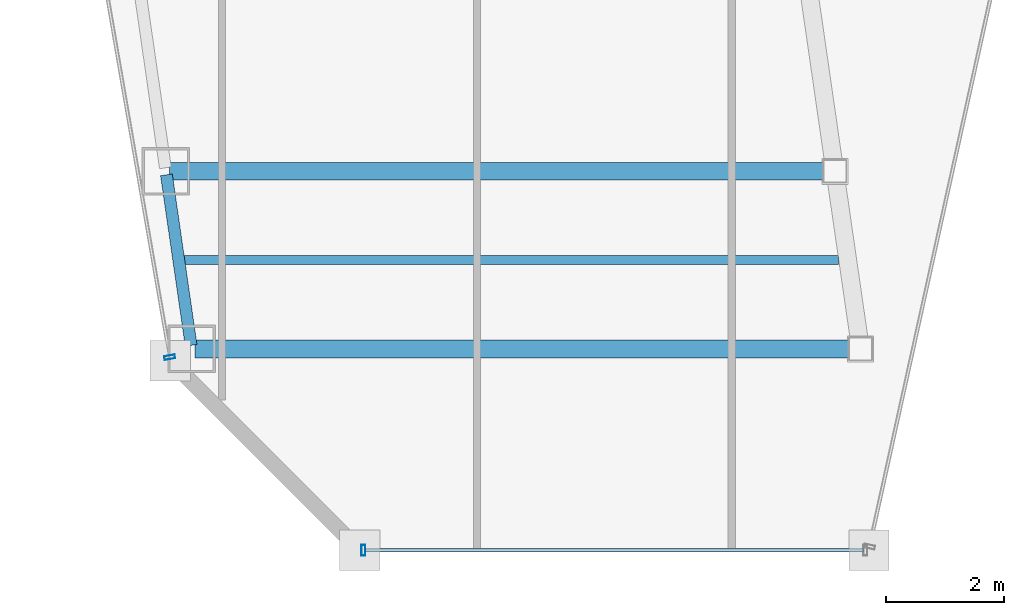
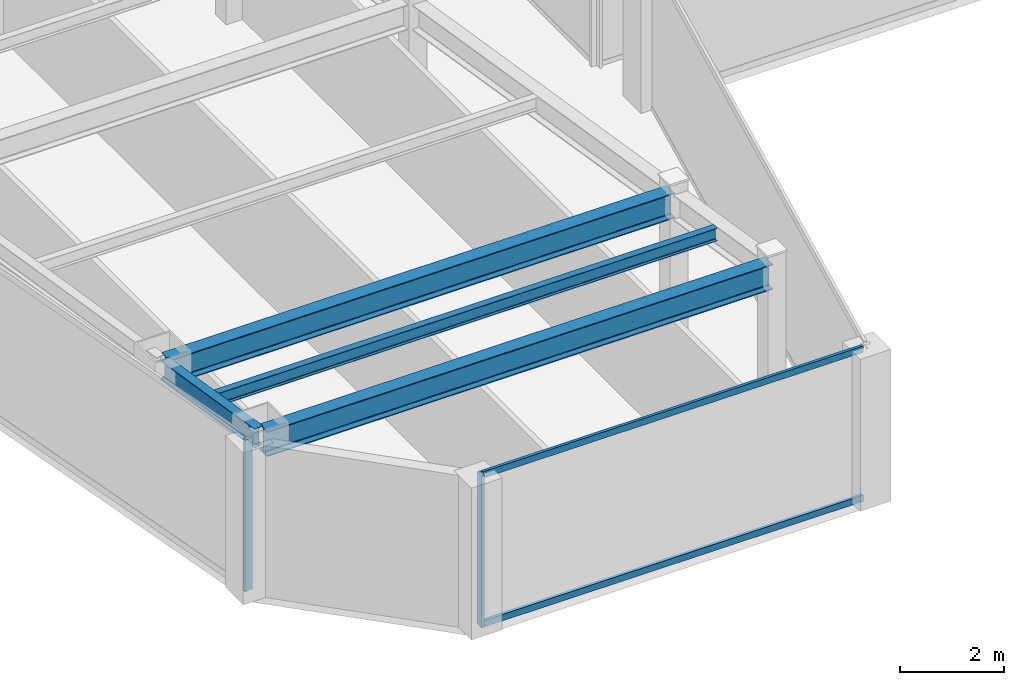
# One storey, part 3 of 33: 4 beams, 4 members, 2 elements without a shape of their own.
"""IFC4 building model written with IfcOpenShell, lengths in metres."""

import ifcopenshell
import ifcopenshell.guid

model = None  # the IFC model being written
_history = None  # IfcOwnerHistory: only IFC2X3 demands one
_inside = {}  # id of a spatial element -> (the spatial element, [elements in it])
_under = {}  # id of a project, library or spatial element -> (it, [spatial elements below it])
_declared = {}  # id of a project -> (the project, [libraries it declares])
_typed = {}  # id of a type object -> (the type object, [elements of that type])
_made_of = {}  # id of a material, layer set ... -> (it, [elements and type objects made of it])


def new_model(schema):
    """Start an empty IFC model of exactly this schema.

    Asked for "IFC4X3", IfcOpenShell would pick the latest addendum, in which some entities
    have other attributes; the version numbers below select the first issue.
    IFC2X3 requires an IfcOwnerHistory on every rooted entity: one is made here for all.
    """
    global model, _history
    if schema == "IFC4X3":
        model = ifcopenshell.file(schema_version=(4, 3, 0, 0))
    else:
        model = ifcopenshell.file(schema=schema)
    _inside.clear()
    _under.clear()
    _declared.clear()
    _typed.clear()
    _made_of.clear()
    _history = None
    if model.schema == "IFC2X3":
        org = make("IfcOrganization", Name="unknown")
        user = make(
            "IfcPersonAndOrganization",
            ThePerson=make("IfcPerson", FamilyName="unknown"),
            TheOrganization=org,
        )
        app = make(
            "IfcApplication",
            ApplicationDeveloper=org,
            Version="unknown",
            ApplicationFullName="unknown",
            ApplicationIdentifier="unknown",
        )
        _history = make(
            "IfcOwnerHistory",
            OwningUser=user,
            OwningApplication=app,
            ChangeAction="ADDED",
            CreationDate=0,
        )
    return model


def make(cls, **values):
    """One entity of the class cls with the attributes given. An attribute that is None is left unset."""
    return model.create_entity(
        cls, **{name: value for name, value in values.items() if value is not None}
    )


def rooted(cls, **values):
    """An entity with a GlobalId (a new one), such as an element, a storey or a relation."""
    return make(cls, GlobalId=ifcopenshell.guid.new(), OwnerHistory=_history, **values)


def si_unit(unit_type, name, prefix=None):
    """IfcSIUnit, for example si_unit("LENGTHUNIT", "METRE", prefix="MILLI")."""
    return make("IfcSIUnit", UnitType=unit_type, Prefix=prefix, Name=name)


def assignment(units):
    """IfcUnitAssignment: the units of a project."""
    return None if units is None else make("IfcUnitAssignment", Units=units)


def point(xyz):
    """IfcCartesianPoint."""
    return None if xyz is None else make("IfcCartesianPoint", Coordinates=xyz)


def direction(xyz):
    """IfcDirection."""
    return None if xyz is None else make("IfcDirection", DirectionRatios=xyz)


def frame(location, z_axis=None, x_axis=None):
    """IfcAxis2Placement3D, a coordinate frame: its origin and axes. An axis left out is left unset."""
    return make(
        "IfcAxis2Placement3D",
        Location=point(location),
        Axis=direction(z_axis),
        RefDirection=direction(x_axis),
    )


def frame_2d(location, x_axis=None):
    """IfcAxis2Placement2D, a coordinate frame in the plane: its origin and x axis."""
    return make(
        "IfcAxis2Placement2D", Location=point(location), RefDirection=direction(x_axis)
    )


def origin():
    """The frame at (0, 0, 0) with its axes left unset."""
    return frame((0.0, 0.0, 0.0))


def origin_2d():
    """The frame at (0, 0) in the plane with its x axis left unset."""
    return frame_2d((0.0, 0.0))


def place(relative_to, where):
    """IfcLocalPlacement: puts the frame where relative to a parent placement (None: the world)."""
    return make(
        "IfcLocalPlacement", PlacementRelTo=relative_to, RelativePlacement=where
    )


def context(
    kind, dimensions, precision=None, world=None, true_north=None, identifier=None
):
    """IfcGeometricRepresentationContext, for example the 3D "Model" context."""
    return make(
        "IfcGeometricRepresentationContext",
        ContextIdentifier=identifier,
        ContextType=kind,
        CoordinateSpaceDimension=dimensions,
        Precision=precision,
        WorldCoordinateSystem=world,
        TrueNorth=true_north,
    )


def subcontext(parent, identifier, kind, view, scale=None):
    """IfcGeometricRepresentationSubContext, for example "Body" below "Model"."""
    return make(
        "IfcGeometricRepresentationSubContext",
        ContextIdentifier=identifier,
        ContextType=kind,
        ParentContext=parent,
        TargetScale=scale,
        TargetView=view,
    )


def project(units=None, contexts=None):
    """IfcProject with its units and contexts."""
    return rooted(
        "IfcProject",
        Name="project",
        RepresentationContexts=contexts,
        UnitsInContext=assignment(units),
    )


def spatial(cls, under=None, at=None, **own):
    """A site, building, storey or space (cls), placed at a placement, below another one or the project."""
    s = rooted(cls, ObjectPlacement=at, **own)
    if under is not None:
        _under.setdefault(under.id(), (under, []))[1].append(s)
    return s


def profile(cls, at=None, kind="AREA", **sizes):
    """A parametric profile (cls). Its sizes go by their IFC names, for example OverallWidth=200.0."""
    return make(cls, ProfileType=kind, Position=at, **sizes)


def hollow_rectangle(**sizes):
    """IfcRectangleHollowProfileDef."""
    return profile("IfcRectangleHollowProfileDef", **sizes)


def i_section(**sizes):
    """IfcIShapeProfileDef."""
    return profile("IfcIShapeProfileDef", **sizes)


def extrude(swept, where, along, depth):
    """IfcExtrudedAreaSolid: the profile swept, set in the frame where, extruded along a direction by depth."""
    return make(
        "IfcExtrudedAreaSolid",
        SweptArea=swept,
        Position=where,
        ExtrudedDirection=direction(along),
        Depth=depth,
    )


def shape(context_of_items, identifier, shape_type, items):
    """IfcShapeRepresentation: the items that make up one representation, for example the "Body"."""
    return make(
        "IfcShapeRepresentation",
        ContextOfItems=context_of_items,
        RepresentationIdentifier=identifier,
        RepresentationType=shape_type,
        Items=items,
    )


def material(Name=None, Category=None):
    """IfcMaterial."""
    return make("IfcMaterial", Name=Name, Category=Category)


def material_profile(
    of_material, cross_section, Name=None, Category=None, Priority=None
):
    """IfcMaterialProfile: a cross section and its material."""
    return make(
        "IfcMaterialProfile",
        Name=Name,
        Material=of_material,
        Profile=cross_section,
        Priority=Priority,
        Category=Category,
    )


def profile_set(profiles, Name=None, composite=None):
    """IfcMaterialProfileSet."""
    return make(
        "IfcMaterialProfileSet",
        Name=Name,
        MaterialProfiles=profiles,
        CompositeProfile=composite,
    )


def made_of(thing, what):
    """Note that an element or type object is made of a material, layer set ...; save() writes the relation."""
    if what is not None:
        _made_of.setdefault(what.id(), (what, []))[1].append(thing)
    return thing


def type_object(cls, material=None, **own):
    """A type object (cls), such as IfcWallType, which elements share."""
    return made_of(rooted(cls, **own), material)


def element(
    cls,
    number,
    at=None,
    inside=None,
    cuts=None,
    type_object=None,
    material=None,
    context=None,
    identifier="Body",
    shape_type=None,
    held_by="IfcProductDefinitionShape",
    body=None,
    shapes=None,
    **own,
):
    """One element of the class cls, such as IfcWall. Its Tag is "e" and its number.

    at: its placement. inside: the storey or other place that contains it. cuts: it is an
    opening in that element (IfcRelVoidsElement). A single representation is given by context,
    identifier, shape_type and body (its items); several are given by shapes. held_by: the class
    of the entity that holds the representations. save() writes the other relations.
    """
    e = rooted(cls, Tag="e%d" % number, ObjectPlacement=at, **own)
    if body is not None:
        shapes = [shape(context, identifier, shape_type, body)]
    if shapes is not None:
        e.Representation = make(held_by, Representations=shapes)
    if inside is not None:
        _inside.setdefault(inside.id(), (inside, []))[1].append(e)
    if cuts is not None:
        rooted(
            "IfcRelVoidsElement", RelatingBuildingElement=cuts, RelatedOpeningElement=e
        )
    if type_object is not None:
        _typed.setdefault(type_object.id(), (type_object, []))[1].append(e)
    return made_of(e, material)


def aggregate(whole, parts):
    """IfcRelAggregates: a whole, such as a stair, and the parts it consists of."""
    return rooted("IfcRelAggregates", RelatingObject=whole, RelatedObjects=parts)


def save(model, path):
    """Write the relations noted so far, then the file.

    IfcRelAggregates (storeys below a building ...), IfcRelContainedInSpatialStructure (elements
    in a storey), IfcRelDefinesByType, IfcRelAssociatesMaterial and IfcRelDeclares: one each for
    every whole, place, type object, material and project.
    """
    for whole, parts in _under.values():
        aggregate(whole, parts)
    for where, things in _inside.values():
        rooted(
            "IfcRelContainedInSpatialStructure",
            RelatedElements=things,
            RelatingStructure=where,
        )
    for kind, things in _typed.values():
        rooted("IfcRelDefinesByType", RelatedObjects=things, RelatingType=kind)
    for what, things in _made_of.values():
        rooted("IfcRelAssociatesMaterial", RelatedObjects=things, RelatingMaterial=what)
    for by, libraries in _declared.values():
        rooted("IfcRelDeclares", RelatingContext=by, RelatedDefinitions=libraries)
    model.write(path)


model = new_model("IFC4")

# Units and contexts
model_context = context("Model", 3, precision=1e-05, world=origin(), true_north=direction((0.0, 1.0)))
body_context = subcontext(model_context, "Body", "Model", "MODEL_VIEW")
ifc_project = project(units=[si_unit("LENGTHUNIT", "METRE"), si_unit("AREAUNIT", "SQUARE_METRE"), si_unit("VOLUMEUNIT", "CUBIC_METRE"), si_unit("PLANEANGLEUNIT", "RADIAN"), si_unit("MASSUNIT", "GRAM", prefix="KILO")], contexts=[model_context])

# Site, building, storey
site_placement = place(None, origin())
site = spatial("IfcSite", under=ifc_project, at=site_placement, CompositionType="ELEMENT")
building_placement = place(site_placement, origin())
building = spatial("IfcBuilding", under=site, at=building_placement, Name="Saevonmaru Cultural Tower", CompositionType="ELEMENT")
storey_placement = place(building_placement, frame((0.0, 0.0, 234.39990234375)))
storey = spatial("IfcBuildingStorey", under=building, at=storey_placement, Name="L54", CompositionType="ELEMENT", Elevation=234.39990234375)

# Beams
ifc_material_1 = material(Name="Steel SM355", Category="steel")
ifc_material_profile_1 = material_profile(ifc_material_1, i_section(OverallWidth=0.300048828125, OverallDepth=0.587890625, WebThickness=0.011962890625, FlangeThickness=0.02001953125, FilletRadius=0.02392578125, at=origin_2d()), Name="H-588x300x12x20")
ifc_profile_set_1 = profile_set([ifc_material_profile_1], Name="Steel SM355")
beam_type_1 = type_object("IfcBeamType", Name="BM-G-H588", PredefinedType="BEAM", material=ifc_profile_set_1)
for number, where, z_axis, x_axis, name in (
    (1, (9.966064453125, 21.0, 3.256103515625), (1.0, 0.0, 0.0), (0.0, 1.0, 0.0), "L54 West Wing Transverse Girder 1"),
    (2, (9.531982421875, 24.0, 3.256103515625), (1.0, 0.0, 0.0), (0.0, 1.0, 0.0), "L54 West Wing Transverse Girder 2"),
):
    element("IfcBeam", number, at=place(storey_placement, frame(where, z_axis=z_axis, x_axis=x_axis)), inside=storey, type_object=beam_type_1, Name=name, PredefinedType="BEAM", context=body_context, shape_type="SweptSolid", body=[
        extrude(i_section(OverallWidth=0.300048828125, OverallDepth=0.587890625, WebThickness=0.011962890625, FlangeThickness=0.02001953125, FilletRadius=0.02392578125, at=origin_2d()), origin(), (0.0, 0.0, 1.0), 11.179931640625),
    ])
ifc_material_profile_2 = material_profile(ifc_material_1, i_section(OverallWidth=0.14990234375, OverallDepth=0.300048828125, WebThickness=0.006591796875, FlangeThickness=0.009033203125, FilletRadius=0.012939453125, at=origin_2d()), Name="H-300x150x6.5x9")
ifc_profile_set_2 = profile_set([ifc_material_profile_2], Name="Steel SM355")
beam_type_2 = type_object("IfcBeamType", Name="BM-J-H300", PredefinedType="JOIST", material=ifc_profile_set_2)
beam_1_placement = place(storey_placement, frame((9.7490234375, 22.5, 3.400146484375), z_axis=(1.0, 0.0, 0.0), x_axis=(0.0, 1.0, 0.0)))
element("IfcBeam", 3, at=beam_1_placement, inside=storey, type_object=beam_type_2, Name="L54 West Wing Floor Joist 1", PredefinedType="JOIST", context=body_context, shape_type="SweptSolid", body=[
    extrude(i_section(OverallWidth=0.14990234375, OverallDepth=0.300048828125, WebThickness=0.006591796875, FlangeThickness=0.009033203125, FilletRadius=0.012939453125, at=origin_2d()), origin(), (0.0, 0.0, 1.0), 11.08203125),
])
ifc_material_profile_3 = material_profile(ifc_material_1, i_section(OverallWidth=0.199951171875, OverallDepth=0.449951171875, WebThickness=0.009033203125, FlangeThickness=0.013916015625, FilletRadius=0.01806640625, at=origin_2d()), Name="H-450x200x9x14")
ifc_profile_set_3 = profile_set([ifc_material_profile_3], Name="Steel SM355")
beam_type_3 = type_object("IfcBeamType", Name="BM-SP-H450", PredefinedType="SPANDREL", material=ifc_profile_set_3)
beam_2_placement = place(storey_placement, frame((9.8974609375, 21.059326171875, 3.3251953125), z_axis=(-0.143146955239, 0.98970144448, 0.0), x_axis=(-0.98970144448, -0.143146955239, 0.0)))
element("IfcBeam", 4, at=beam_2_placement, inside=storey, type_object=beam_type_3, Name="L54 West Splayed Spandrel 1", PredefinedType="SPANDREL", context=body_context, shape_type="SweptSolid", body=[
    extrude(i_section(OverallWidth=0.199951171875, OverallDepth=0.449951171875, WebThickness=0.009033203125, FlangeThickness=0.013916015625, FilletRadius=0.01806640625, at=origin_2d()), origin(), (0.0, 0.0, 1.0), 2.911376953125),
])

# Curtain wall, member
ifc_material_2 = material(Name="Satin Bronze Anodised Aluminium", Category="aluminium")
curtain_wall_type = type_object("IfcCurtainWallType", Name="CW-TYP-B", PredefinedType="NOTDEFINED", material=ifc_material_2)
curtain_wall_1_placement = place(storey_placement, origin())
curtain_wall_1 = element("IfcCurtainWall", 5, at=curtain_wall_1_placement, inside=storey, type_object=curtain_wall_type, Name="L54 Unitised Curtain Wall E2", PredefinedType="NOTDEFINED")
ifc_material_profile_4 = material_profile(ifc_material_2, hollow_rectangle(XDim=0.06494140625, YDim=0.179931640625, WallThickness=0.00390625, at=origin_2d()), Name="ALU-MULL-180x65x4")
ifc_profile_set_4 = profile_set([ifc_material_profile_4], Name="Satin Bronze Anodised Aluminium")
member_type_1 = type_object("IfcMemberType", Name="ML-CW-180x65", PredefinedType="MULLION", material=ifc_profile_set_4)
member_1_placement = place(storey_placement, frame((12.806640625, 17.60009765625, 0.0), z_axis=(0.0, 0.0, 1.0), x_axis=(1.0, 0.0, 0.0)))
member_1 = element("IfcMember", 6, at=member_1_placement, type_object=member_type_1, Name="CW-TW-L54-E2 mullion 1", PredefinedType="MULLION", context=body_context, shape_type="SweptSolid", body=[
    extrude(hollow_rectangle(XDim=0.06494140625, YDim=0.179931640625, WallThickness=0.00390625, at=origin_2d()), origin(), (0.0, 0.0, 1.0), 3.550048828125),
])

curtain_wall_2_placement = place(storey_placement, origin())
curtain_wall_2 = element("IfcCurtainWall", 7, at=curtain_wall_2_placement, inside=storey, type_object=curtain_wall_type, Name="L54 Unitised Curtain Wall E12", PredefinedType="NOTDEFINED")
member_2_placement = place(storey_placement, frame((9.53662109375, 20.859130859375, 0.0), z_axis=(0.0, 0.0, 1.0), x_axis=(0.170790369887, -0.985307388359, 0.0)))
member_2 = element("IfcMember", 8, at=member_2_placement, type_object=member_type_1, Name="CW-TW-L54-E12 mullion 4", PredefinedType="MULLION", context=body_context, shape_type="SweptSolid", body=[
    extrude(hollow_rectangle(XDim=0.06494140625, YDim=0.179931640625, WallThickness=0.00390625, at=origin_2d()), origin(), (0.0, 0.0, 1.0), 3.550048828125),
])
aggregate(curtain_wall_2, [member_2])

# Member
ifc_material_profile_5 = material_profile(ifc_material_2, hollow_rectangle(XDim=0.06494140625, YDim=0.14990234375, WallThickness=0.00390625, at=origin_2d()), Name="ALU-TRAN-150x65x4")
ifc_profile_set_5 = profile_set([ifc_material_profile_5], Name="Satin Bronze Anodised Aluminium")
member_type_2 = type_object("IfcMemberType", Name="TR-CW-150x65", PredefinedType="USERDEFINED", material=ifc_profile_set_5)
member_3_placement = place(storey_placement, frame((12.839111328125, 17.60009765625, 0.03271484375), z_axis=(1.0, 0.0, 0.0), x_axis=(0.0, 1.0, 0.0)))
member_3 = element("IfcMember", 9, at=member_3_placement, type_object=member_type_2, Name="CW-TW-L54-E2 transom 1.1", ObjectType="TRANSOM", PredefinedType="USERDEFINED", context=body_context, shape_type="SweptSolid", body=[
    extrude(hollow_rectangle(XDim=0.06494140625, YDim=0.14990234375, WallThickness=0.00390625, at=origin_2d()), origin(), (0.0, 0.0, 1.0), 8.4150390625),
])

member_4_placement = place(storey_placement, frame((12.839111328125, 17.60009765625, 3.517578125), z_axis=(1.0, 0.0, 0.0), x_axis=(0.0, 1.0, 0.0)))
member_4 = element("IfcMember", 10, at=member_4_placement, type_object=member_type_2, Name="CW-TW-L54-E2 transom 1.2", ObjectType="TRANSOM", PredefinedType="USERDEFINED", context=body_context, shape_type="SweptSolid", body=[
    extrude(hollow_rectangle(XDim=0.06494140625, YDim=0.14990234375, WallThickness=0.00390625, at=origin_2d()), origin(), (0.0, 0.0, 1.0), 8.4150390625),
])

aggregate(curtain_wall_1, [member_1, member_3, member_4])

save(model, "model.ifc")
